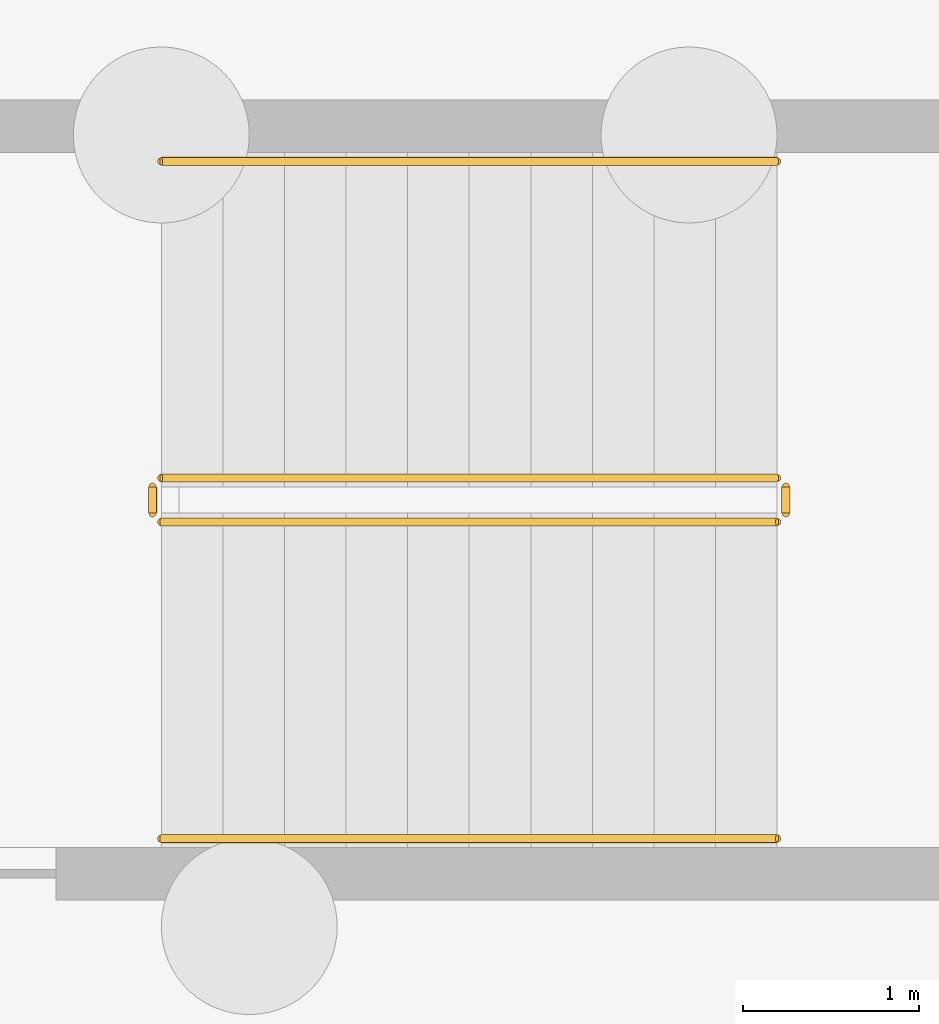
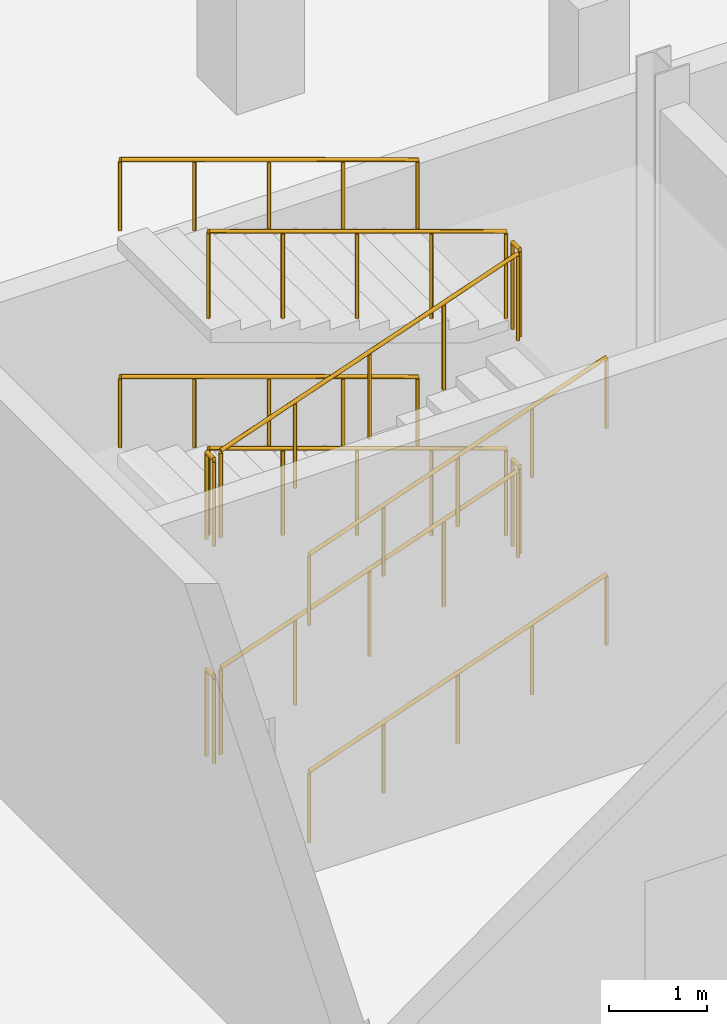
# One storey, part 27 of 29: 12 railings.
"""IFC4 building model written with IfcOpenShell, lengths in metres."""

from ifc_helpers import new_model, si_unit, direction, frame, origin, origin_2d, place, context, subcontext, project, spatial, circle, extrude, material, type_object, element, save


model = new_model("IFC4")

# Units and contexts
model_context = context("Model", 3, precision=1e-05, world=origin(), true_north=direction((0.0, 1.0)))
body_context = subcontext(model_context, "Body", "Model", "MODEL_VIEW")
ifc_project = project(units=[si_unit("LENGTHUNIT", "METRE"), si_unit("AREAUNIT", "SQUARE_METRE"), si_unit("VOLUMEUNIT", "CUBIC_METRE"), si_unit("PLANEANGLEUNIT", "RADIAN"), si_unit("MASSUNIT", "GRAM", prefix="KILO")], contexts=[model_context])

# Site, building, storey
site_placement = place(None, origin())
site = spatial("IfcSite", under=ifc_project, at=site_placement, CompositionType="ELEMENT")
building_placement = place(site_placement, origin())
building = spatial("IfcBuilding", under=site, at=building_placement, Name="Cresset Court Congress Hotel", CompositionType="ELEMENT")
storey_placement = place(building_placement, frame((0.0, 0.0, -5.39990234375)))
storey = spatial("IfcBuildingStorey", under=building, at=storey_placement, Name="B1", CompositionType="ELEMENT", Elevation=-5.39990234375)

# Railings
ifc_material_1 = material(Name="Steel and laminated glass", Category="steel")
railing_type_1 = type_object("IfcRailingType", Name="Guard 1100 steel and glass", PredefinedType="GUARDRAIL", material=ifc_material_1)
railing_1_placement = place(storey_placement, frame((102.89990234375, 23.300048828125, 0.12255859375)))
element("IfcRailing", 1, at=railing_1_placement, inside=storey, type_object=railing_type_1, Name="B1 ST-B4 stair guard 1", PredefinedType="GUARDRAIL", context=body_context, shape_type="SweptSolid", body=[
    extrude(circle(Radius=0.02392578125, at=origin_2d()), frame((0.0, 0.0, 1.076171875), z_axis=(0.943665265509, 0.0, 0.33090159666), x_axis=(0.0, 1.0, 0.0)), (0.0, 0.0, 1.0), 3.708984375),
    extrude(circle(Radius=0.02099609375, at=origin_2d()), origin(), (0.0, 0.0, 1.0), 1.052001953125),
    extrude(circle(Radius=0.02099609375, at=origin_2d()), frame((0.875, 0.0, 0.306884765625)), (0.0, 0.0, 1.0), 1.052001953125),
    extrude(circle(Radius=0.02099609375, at=origin_2d()), frame((1.75, 0.0, 0.61376953125)), (0.0, 0.0, 1.0), 1.052001953125),
    extrude(circle(Radius=0.02099609375, at=origin_2d()), frame((2.625, 0.0, 0.92041015625)), (0.0, 0.0, 1.0), 1.052001953125),
    extrude(circle(Radius=0.02099609375, at=origin_2d()), frame((3.5, 0.0, 1.227294921875)), (0.0, 0.0, 1.0), 1.052001953125),
])
railing_2_placement = place(storey_placement, frame((106.449951171875, 23.35009765625, 1.349853515625)))
element("IfcRailing", 2, at=railing_2_placement, inside=storey, type_object=railing_type_1, Name="B1 ST-B4 stair guard 2", PredefinedType="GUARDRAIL", context=body_context, shape_type="SweptSolid", body=[
    extrude(circle(Radius=0.02392578125, at=origin_2d()), frame((0.0, 0.0, 1.076171875), z_axis=(0.0, 1.0, 0.0), x_axis=(-1.0, 0.0, 0.0)), (0.0, 0.0, 1.0), 0.14990234375),
    extrude(circle(Radius=0.02099609375, at=origin_2d()), origin(), (0.0, 0.0, 1.0), 1.052001953125),
    extrude(circle(Radius=0.02099609375, at=origin_2d()), frame((0.0, 0.14990234375, 0.0)), (0.0, 0.0, 1.0), 1.052001953125),
])
railing_3_placement = place(storey_placement, frame((106.39990234375, 23.550048828125, 1.47265625)))
element("IfcRailing", 3, at=railing_3_placement, inside=storey, type_object=railing_type_1, Name="B1 ST-B4 stair guard 3", PredefinedType="GUARDRAIL", context=body_context, shape_type="SweptSolid", body=[
    extrude(circle(Radius=0.02392578125, at=origin_2d()), frame((0.0, 0.0, 1.076171875), z_axis=(-0.943665265509, 0.0, 0.33090159666), x_axis=(0.0, -1.0, 0.0)), (0.0, 0.0, 1.0), 3.708984375),
    extrude(circle(Radius=0.02099609375, at=origin_2d()), origin(), (0.0, 0.0, 1.0), 1.052001953125),
    extrude(circle(Radius=0.02099609375, at=origin_2d()), frame((-0.875, 0.0, 0.306884765625)), (0.0, 0.0, 1.0), 1.052001953125),
    extrude(circle(Radius=0.02099609375, at=origin_2d()), frame((-1.75, 0.0, 0.61376953125)), (0.0, 0.0, 1.0), 1.052001953125),
    extrude(circle(Radius=0.02099609375, at=origin_2d()), frame((-2.625, 0.0, 0.92041015625)), (0.0, 0.0, 1.0), 1.052001953125),
    extrude(circle(Radius=0.02099609375, at=origin_2d()), frame((-3.5, 0.0, 1.227294921875)), (0.0, 0.0, 1.0), 1.052001953125),
])
railing_4_placement = place(storey_placement, frame((102.85009765625, 23.35009765625, 2.699951171875)))
element("IfcRailing", 4, at=railing_4_placement, inside=storey, type_object=railing_type_1, Name="B1 ST-B4 stair guard 4", PredefinedType="GUARDRAIL", context=body_context, shape_type="SweptSolid", body=[
    extrude(circle(Radius=0.02392578125, at=origin_2d()), frame((0.0, 0.0, 1.076171875), z_axis=(0.0, 1.0, 0.0), x_axis=(-1.0, 0.0, 0.0)), (0.0, 0.0, 1.0), 0.14990234375),
    extrude(circle(Radius=0.02099609375, at=origin_2d()), origin(), (0.0, 0.0, 1.0), 1.052001953125),
    extrude(circle(Radius=0.02099609375, at=origin_2d()), frame((0.0, 0.14990234375, 0.0)), (0.0, 0.0, 1.0), 1.052001953125),
])
railing_5_placement = place(storey_placement, frame((102.89990234375, 23.300048828125, 2.822509765625)))
element("IfcRailing", 5, at=railing_5_placement, inside=storey, type_object=railing_type_1, Name="B1 ST-B4 stair guard 5", PredefinedType="GUARDRAIL", context=body_context, shape_type="SweptSolid", body=[
    extrude(circle(Radius=0.02392578125, at=origin_2d()), frame((0.0, 0.0, 1.076171875), z_axis=(0.943665265509, 0.0, 0.33090159666), x_axis=(0.0, 1.0, 0.0)), (0.0, 0.0, 1.0), 3.708984375),
    extrude(circle(Radius=0.02099609375, at=origin_2d()), origin(), (0.0, 0.0, 1.0), 1.052001953125),
    extrude(circle(Radius=0.02099609375, at=origin_2d()), frame((0.875, 0.0, 0.306884765625)), (0.0, 0.0, 1.0), 1.052001953125),
    extrude(circle(Radius=0.02099609375, at=origin_2d()), frame((1.75, 0.0, 0.61376953125)), (0.0, 0.0, 1.0), 1.052001953125),
    extrude(circle(Radius=0.02099609375, at=origin_2d()), frame((2.625, 0.0, 0.92041015625)), (0.0, 0.0, 1.0), 1.052001953125),
    extrude(circle(Radius=0.02099609375, at=origin_2d()), frame((3.5, 0.0, 1.227294921875)), (0.0, 0.0, 1.0), 1.052001953125),
])
railing_6_placement = place(storey_placement, frame((106.449951171875, 23.35009765625, 4.0498046875)))
element("IfcRailing", 6, at=railing_6_placement, inside=storey, type_object=railing_type_1, Name="B1 ST-B4 stair guard 6", PredefinedType="GUARDRAIL", context=body_context, shape_type="SweptSolid", body=[
    extrude(circle(Radius=0.02392578125, at=origin_2d()), frame((0.0, 0.0, 1.076171875), z_axis=(0.0, 1.0, 0.0), x_axis=(-1.0, 0.0, 0.0)), (0.0, 0.0, 1.0), 0.14990234375),
    extrude(circle(Radius=0.02099609375, at=origin_2d()), origin(), (0.0, 0.0, 1.0), 1.052001953125),
    extrude(circle(Radius=0.02099609375, at=origin_2d()), frame((0.0, 0.14990234375, 0.0)), (0.0, 0.0, 1.0), 1.052001953125),
])
railing_7_placement = place(storey_placement, frame((106.39990234375, 23.550048828125, 4.172607421875)))
element("IfcRailing", 7, at=railing_7_placement, inside=storey, type_object=railing_type_1, Name="B1 ST-B4 stair guard 7", PredefinedType="GUARDRAIL", context=body_context, shape_type="SweptSolid", body=[
    extrude(circle(Radius=0.02392578125, at=origin_2d()), frame((0.0, 0.0, 1.076171875), z_axis=(-0.943665265509, 0.0, 0.33090159666), x_axis=(0.0, -1.0, 0.0)), (0.0, 0.0, 1.0), 3.708984375),
    extrude(circle(Radius=0.02099609375, at=origin_2d()), origin(), (0.0, 0.0, 1.0), 1.052001953125),
    extrude(circle(Radius=0.02099609375, at=origin_2d()), frame((-0.875, 0.0, 0.306884765625)), (0.0, 0.0, 1.0), 1.052001953125),
    extrude(circle(Radius=0.02099609375, at=origin_2d()), frame((-1.75, 0.0, 0.61376953125)), (0.0, 0.0, 1.0), 1.052001953125),
    extrude(circle(Radius=0.02099609375, at=origin_2d()), frame((-2.625, 0.0, 0.92041015625)), (0.0, 0.0, 1.0), 1.052001953125),
    extrude(circle(Radius=0.02099609375, at=origin_2d()), frame((-3.5, 0.0, 1.227294921875)), (0.0, 0.0, 1.0), 1.052001953125),
])
railing_8_placement = place(storey_placement, frame((102.85009765625, 23.35009765625, 0.0)))
element("IfcRailing", 8, at=railing_8_placement, inside=storey, type_object=railing_type_1, Name="B1 ST-B4 stair guard 8", PredefinedType="GUARDRAIL", context=body_context, shape_type="SweptSolid", body=[
    extrude(circle(Radius=0.02392578125, at=origin_2d()), frame((0.0, 0.0, 1.076171875), z_axis=(0.0, 1.0, 0.0), x_axis=(-1.0, 0.0, 0.0)), (0.0, 0.0, 1.0), 0.14990234375),
    extrude(circle(Radius=0.02099609375, at=origin_2d()), origin(), (0.0, 0.0, 1.0), 1.052001953125),
    extrude(circle(Radius=0.02099609375, at=origin_2d()), frame((0.0, 0.14990234375, 0.0)), (0.0, 0.0, 1.0), 1.052001953125),
])
ifc_material_2 = material(Name="Stainless steel", Category="steel")
railing_type_2 = type_object("IfcRailingType", Name="Handrail 48 stainless", PredefinedType="HANDRAIL", material=ifc_material_2)
railing_9_placement = place(storey_placement, frame((102.89990234375, 21.5, 0.12255859375)))
element("IfcRailing", 9, at=railing_9_placement, inside=storey, type_object=railing_type_2, Name="B1 ST-B4 stair handrail 1", PredefinedType="HANDRAIL", context=body_context, shape_type="SweptSolid", body=[
    extrude(circle(Radius=0.02392578125, at=origin_2d()), frame((0.0, 0.0, 0.8759765625), z_axis=(0.943665265509, 0.0, 0.33090159666), x_axis=(0.0, 1.0, 0.0)), (0.0, 0.0, 1.0), 3.708984375),
    extrude(circle(Radius=0.02099609375, at=origin_2d()), origin(), (0.0, 0.0, 1.0), 0.851806640625),
    extrude(circle(Radius=0.02099609375, at=origin_2d()), frame((0.875, 0.0, 0.306884765625)), (0.0, 0.0, 1.0), 0.851806640625),
    extrude(circle(Radius=0.02099609375, at=origin_2d()), frame((1.75, 0.0, 0.61376953125)), (0.0, 0.0, 1.0), 0.851806640625),
    extrude(circle(Radius=0.02099609375, at=origin_2d()), frame((2.625, 0.0, 0.92041015625)), (0.0, 0.0, 1.0), 0.851806640625),
    extrude(circle(Radius=0.02099609375, at=origin_2d()), frame((3.5, 0.0, 1.227294921875)), (0.0, 0.0, 1.0), 0.851806640625),
])
railing_10_placement = place(storey_placement, frame((106.39990234375, 25.35009765625, 1.47265625)))
element("IfcRailing", 10, at=railing_10_placement, inside=storey, type_object=railing_type_2, Name="B1 ST-B4 stair handrail 2", PredefinedType="HANDRAIL", context=body_context, shape_type="SweptSolid", body=[
    extrude(circle(Radius=0.02392578125, at=origin_2d()), frame((0.0, 0.0, 0.8759765625), z_axis=(-0.943665265509, 0.0, 0.33090159666), x_axis=(0.0, -1.0, 0.0)), (0.0, 0.0, 1.0), 3.708984375),
    extrude(circle(Radius=0.02099609375, at=origin_2d()), origin(), (0.0, 0.0, 1.0), 0.851806640625),
    extrude(circle(Radius=0.02099609375, at=origin_2d()), frame((-0.875, 0.0, 0.306884765625)), (0.0, 0.0, 1.0), 0.851806640625),
    extrude(circle(Radius=0.02099609375, at=origin_2d()), frame((-1.75, 0.0, 0.61376953125)), (0.0, 0.0, 1.0), 0.851806640625),
    extrude(circle(Radius=0.02099609375, at=origin_2d()), frame((-2.625, 0.0, 0.92041015625)), (0.0, 0.0, 1.0), 0.851806640625),
    extrude(circle(Radius=0.02099609375, at=origin_2d()), frame((-3.5, 0.0, 1.227294921875)), (0.0, 0.0, 1.0), 0.851806640625),
])
railing_11_placement = place(storey_placement, frame((102.89990234375, 21.5, 2.822509765625)))
element("IfcRailing", 11, at=railing_11_placement, inside=storey, type_object=railing_type_2, Name="B1 ST-B4 stair handrail 3", PredefinedType="HANDRAIL", context=body_context, shape_type="SweptSolid", body=[
    extrude(circle(Radius=0.02392578125, at=origin_2d()), frame((0.0, 0.0, 0.8759765625), z_axis=(0.943665265509, 0.0, 0.33090159666), x_axis=(0.0, 1.0, 0.0)), (0.0, 0.0, 1.0), 3.708984375),
    extrude(circle(Radius=0.02099609375, at=origin_2d()), origin(), (0.0, 0.0, 1.0), 0.851806640625),
    extrude(circle(Radius=0.02099609375, at=origin_2d()), frame((0.875, 0.0, 0.306884765625)), (0.0, 0.0, 1.0), 0.851806640625),
    extrude(circle(Radius=0.02099609375, at=origin_2d()), frame((1.75, 0.0, 0.61376953125)), (0.0, 0.0, 1.0), 0.851806640625),
    extrude(circle(Radius=0.02099609375, at=origin_2d()), frame((2.625, 0.0, 0.92041015625)), (0.0, 0.0, 1.0), 0.851806640625),
    extrude(circle(Radius=0.02099609375, at=origin_2d()), frame((3.5, 0.0, 1.227294921875)), (0.0, 0.0, 1.0), 0.851806640625),
])
railing_12_placement = place(storey_placement, frame((106.39990234375, 25.35009765625, 4.172607421875)))
element("IfcRailing", 12, at=railing_12_placement, inside=storey, type_object=railing_type_2, Name="B1 ST-B4 stair handrail 4", PredefinedType="HANDRAIL", context=body_context, shape_type="SweptSolid", body=[
    extrude(circle(Radius=0.02392578125, at=origin_2d()), frame((0.0, 0.0, 0.8759765625), z_axis=(-0.943665265509, 0.0, 0.33090159666), x_axis=(0.0, -1.0, 0.0)), (0.0, 0.0, 1.0), 3.708984375),
    extrude(circle(Radius=0.02099609375, at=origin_2d()), origin(), (0.0, 0.0, 1.0), 0.851806640625),
    extrude(circle(Radius=0.02099609375, at=origin_2d()), frame((-0.875, 0.0, 0.306884765625)), (0.0, 0.0, 1.0), 0.851806640625),
    extrude(circle(Radius=0.02099609375, at=origin_2d()), frame((-1.75, 0.0, 0.61376953125)), (0.0, 0.0, 1.0), 0.851806640625),
    extrude(circle(Radius=0.02099609375, at=origin_2d()), frame((-2.625, 0.0, 0.92041015625)), (0.0, 0.0, 1.0), 0.851806640625),
    extrude(circle(Radius=0.02099609375, at=origin_2d()), frame((-3.5, 0.0, 1.227294921875)), (0.0, 0.0, 1.0), 0.851806640625),
])

save(model, "model.ifc")
